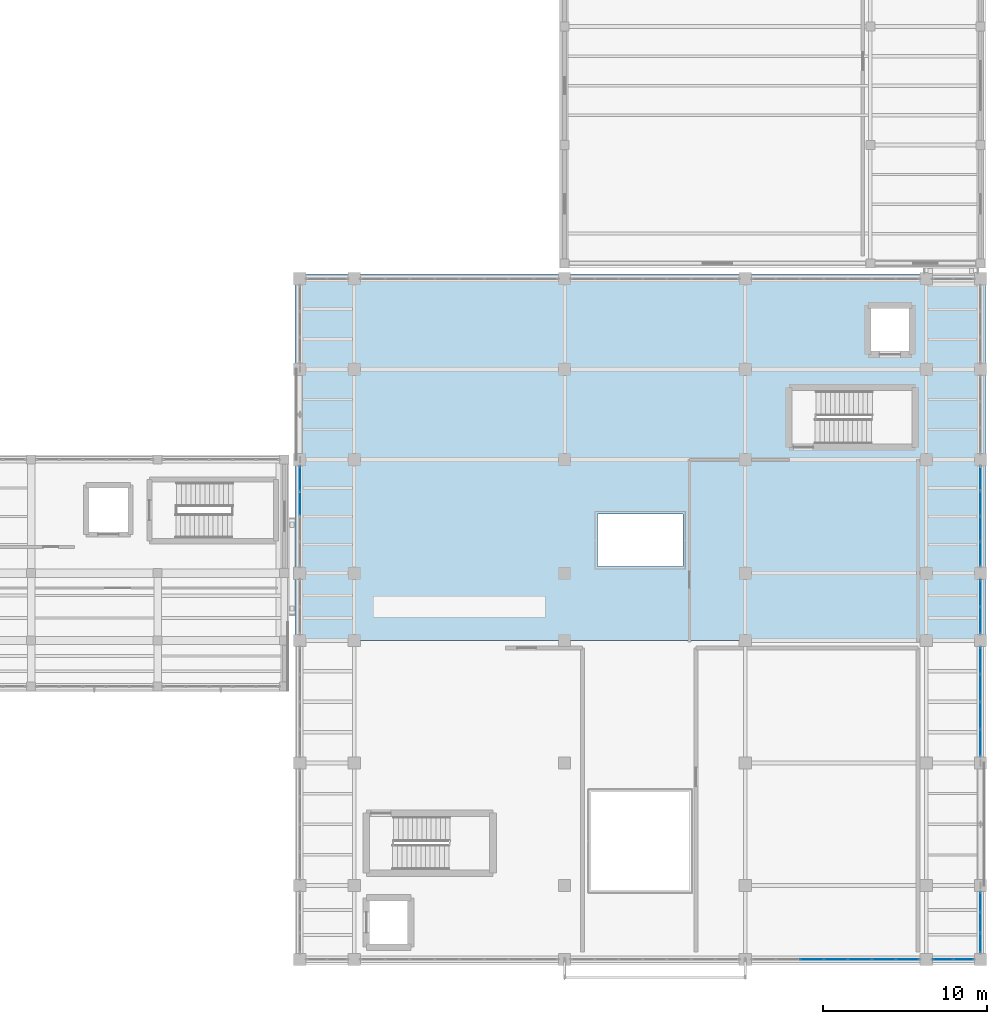
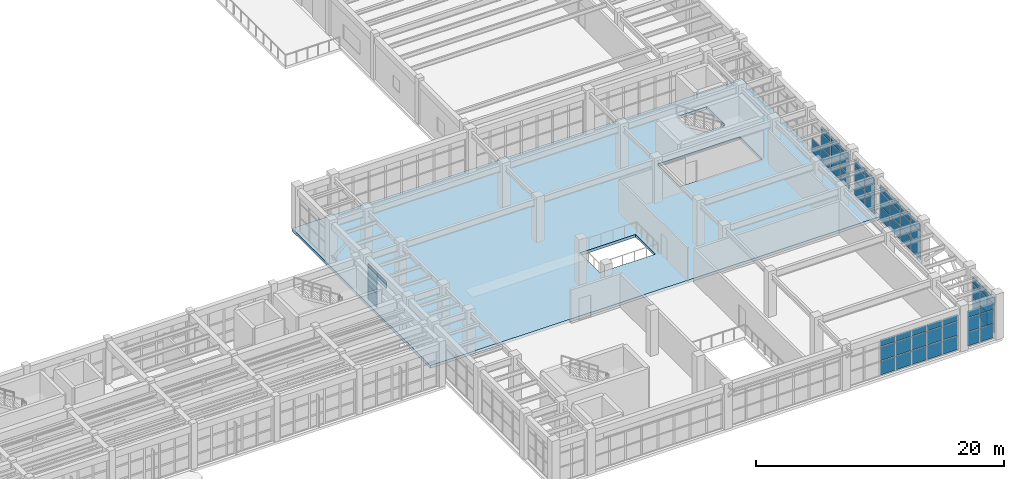
# One storey, part 60 of 85: 62 plates, 1 slab, 7 elements without a shape of their own.
"""IFC4 building model written with IfcOpenShell, lengths in metres."""

from ifc_helpers import new_model, si_unit, direction, frame, origin, origin_2d, place, context, subcontext, project, spatial, polyline, rectangle, outline, extrude, material, layer, layer_set, type_object, element, aggregate, save


model = new_model("IFC4")

# Units and contexts
model_context = context("Model", 3, precision=1e-05, world=origin(), true_north=direction((0.0, 1.0)))
body_context = subcontext(model_context, "Body", "Model", "MODEL_VIEW")
ifc_project = project(units=[si_unit("LENGTHUNIT", "METRE"), si_unit("AREAUNIT", "SQUARE_METRE"), si_unit("VOLUMEUNIT", "CUBIC_METRE"), si_unit("PLANEANGLEUNIT", "RADIAN"), si_unit("MASSUNIT", "GRAM", prefix="KILO")], contexts=[model_context])

# Site, building, storey
site_placement = place(None, origin())
site = spatial("IfcSite", under=ifc_project, at=site_placement, CompositionType="ELEMENT")
building_placement = place(site_placement, origin())
building = spatial("IfcBuilding", under=site, at=building_placement, Name="Candilejo Ridge Gondola Terminal", CompositionType="ELEMENT")
storey_placement = place(building_placement, frame((0.0, 0.0, 4.5)))
storey = spatial("IfcBuildingStorey", under=building, at=storey_placement, Name="L01", CompositionType="ELEMENT", Elevation=4.5)

# Curtain wall, plates
ifc_material_1 = material(Name="Anodised aluminium AA 6063-T6", Category="aluminium")
ifc_layer_1 = layer(ifc_material_1, 0.169921875)
ifc_layer_set_1 = layer_set([ifc_layer_1], Name="ARC-CW-HALL-3800-375X359")
curtain_wall_type_1 = type_object("IfcCurtainWallType", Name="ARC-CW-HALL-3800-375X359", PredefinedType="NOTDEFINED", material=ifc_layer_set_1)
curtain_wall_1_placement = place(storey_placement, origin())
curtain_wall_1 = element("IfcCurtainWall", 1, at=curtain_wall_1_placement, inside=storey, type_object=curtain_wall_type_1, Name="Curtain wall V4 L01-111", PredefinedType="NOTDEFINED")
ifc_material_2 = material(Name="Low-E laminated double glazing 6+12A+6+1.52PVB+6 mm", Category="glass")
ifc_layer_2 = layer(ifc_material_2, 0.028076171875)
ifc_layer_set_2 = layer_set([ifc_layer_2], Name="ARC-CW-GLAZ-PANEL")
plate_type = type_object("IfcPlateType", Name="ARC-CW-GLAZ-PANEL", PredefinedType="CURTAIN_PANEL", material=ifc_layer_set_2)
plate_1_placement = place(storey_placement, frame((175.300048828125, 7.316162109375, 0.06005859375), z_axis=(0.0, 0.0, 1.0), x_axis=(0.0, 1.0, 0.0)))
plate_1 = element("IfcPlate", 2, at=plate_1_placement, type_object=plate_type, Name="CW-37X35 panel 1.1", PredefinedType="CURTAIN_PANEL", context=body_context, shape_type="SweptSolid", body=[
    extrude(rectangle(XDim=1.152587890625, YDim=0.028076171875, at=origin_2d()), origin(), (0.0, 0.0, 1.0), 1.360107421875),
])
plate_2_placement = place(storey_placement, frame((175.300048828125, 7.316162109375, 1.47998046875), z_axis=(0.0, 0.0, 1.0), x_axis=(0.0, 1.0, 0.0)))
plate_2 = element("IfcPlate", 3, at=plate_2_placement, type_object=plate_type, Name="CW-37X35 panel 1.2", PredefinedType="CURTAIN_PANEL", context=body_context, shape_type="SweptSolid", body=[
    extrude(rectangle(XDim=1.152587890625, YDim=0.028076171875, at=origin_2d()), origin(), (0.0, 0.0, 1.0), 1.340087890625),
])
plate_3_placement = place(storey_placement, frame((175.300048828125, 7.316162109375, 2.880126953125), z_axis=(0.0, 0.0, 1.0), x_axis=(0.0, 1.0, 0.0)))
plate_3 = element("IfcPlate", 4, at=plate_3_placement, type_object=plate_type, Name="CW-37X35 panel 1.3", PredefinedType="CURTAIN_PANEL", context=body_context, shape_type="SweptSolid", body=[
    extrude(rectangle(XDim=1.152587890625, YDim=0.028076171875, at=origin_2d()), origin(), (0.0, 0.0, 1.0), 0.64990234375),
])
plate_4_placement = place(storey_placement, frame((175.300048828125, 8.550048828125, 0.06005859375), z_axis=(0.0, 0.0, 1.0), x_axis=(0.0, 1.0, 0.0)))
plate_4 = element("IfcPlate", 5, at=plate_4_placement, type_object=plate_type, Name="CW-37X35 panel 2.1", PredefinedType="CURTAIN_PANEL", context=body_context, shape_type="SweptSolid", body=[
    extrude(rectangle(XDim=1.18505859375, YDim=0.028076171875, at=origin_2d()), origin(), (0.0, 0.0, 1.0), 1.360107421875),
])
plate_5_placement = place(storey_placement, frame((175.300048828125, 8.550048828125, 1.47998046875), z_axis=(0.0, 0.0, 1.0), x_axis=(0.0, 1.0, 0.0)))
plate_5 = element("IfcPlate", 6, at=plate_5_placement, type_object=plate_type, Name="CW-37X35 panel 2.2", PredefinedType="CURTAIN_PANEL", context=body_context, shape_type="SweptSolid", body=[
    extrude(rectangle(XDim=1.18505859375, YDim=0.028076171875, at=origin_2d()), origin(), (0.0, 0.0, 1.0), 1.340087890625),
])
plate_6_placement = place(storey_placement, frame((175.300048828125, 8.550048828125, 2.880126953125), z_axis=(0.0, 0.0, 1.0), x_axis=(0.0, 1.0, 0.0)))
plate_6 = element("IfcPlate", 7, at=plate_6_placement, type_object=plate_type, Name="CW-37X35 panel 2.3", PredefinedType="CURTAIN_PANEL", context=body_context, shape_type="SweptSolid", body=[
    extrude(rectangle(XDim=1.18505859375, YDim=0.028076171875, at=origin_2d()), origin(), (0.0, 0.0, 1.0), 0.64990234375),
])
plate_7_placement = place(storey_placement, frame((175.300048828125, 9.78369140625, 0.06005859375), z_axis=(0.0, 0.0, 1.0), x_axis=(0.0, 1.0, 0.0)))
plate_7 = element("IfcPlate", 8, at=plate_7_placement, type_object=plate_type, Name="CW-37X35 panel 3.1", PredefinedType="CURTAIN_PANEL", context=body_context, shape_type="SweptSolid", body=[
    extrude(rectangle(XDim=1.152587890625, YDim=0.028076171875, at=origin_2d()), origin(), (0.0, 0.0, 1.0), 1.360107421875),
])
plate_8_placement = place(storey_placement, frame((175.300048828125, 9.78369140625, 1.47998046875), z_axis=(0.0, 0.0, 1.0), x_axis=(0.0, 1.0, 0.0)))
plate_8 = element("IfcPlate", 9, at=plate_8_placement, type_object=plate_type, Name="CW-37X35 panel 3.2", PredefinedType="CURTAIN_PANEL", context=body_context, shape_type="SweptSolid", body=[
    extrude(rectangle(XDim=1.152587890625, YDim=0.028076171875, at=origin_2d()), origin(), (0.0, 0.0, 1.0), 1.340087890625),
])
plate_9_placement = place(storey_placement, frame((175.300048828125, 9.78369140625, 2.880126953125), z_axis=(0.0, 0.0, 1.0), x_axis=(0.0, 1.0, 0.0)))
plate_9 = element("IfcPlate", 10, at=plate_9_placement, type_object=plate_type, Name="CW-37X35 panel 3.3", PredefinedType="CURTAIN_PANEL", context=body_context, shape_type="SweptSolid", body=[
    extrude(rectangle(XDim=1.152587890625, YDim=0.028076171875, at=origin_2d()), origin(), (0.0, 0.0, 1.0), 0.64990234375),
])
aggregate(curtain_wall_1, [plate_1, plate_2, plate_3, plate_4, plate_5, plate_6, plate_7, plate_8, plate_9])

ifc_material_3 = material(Name="Anodised aluminium AA 6063-T6", Category="aluminium")
ifc_layer_3 = layer(ifc_material_3, 0.169921875)
ifc_layer_set_3 = layer_set([ifc_layer_3], Name="ARC-CW-HALL-3800-670X359")
curtain_wall_type_2 = type_object("IfcCurtainWallType", Name="ARC-CW-HALL-3800-670X359", PredefinedType="NOTDEFINED", material=ifc_layer_set_3)
curtain_wall_2_placement = place(storey_placement, origin())
curtain_wall_2 = element("IfcCurtainWall", 11, at=curtain_wall_2_placement, inside=storey, type_object=curtain_wall_type_2, Name="Curtain wall V4 L01-114", PredefinedType="NOTDEFINED")
plate_10_placement = place(storey_placement, frame((175.300048828125, 19.478759765625, 0.06005859375), z_axis=(0.0, 0.0, 1.0), x_axis=(0.0, 1.0, 0.0)))
plate_10 = element("IfcPlate", 12, at=plate_10_placement, type_object=plate_type, Name="CW-67X35 panel 1.1", PredefinedType="CURTAIN_PANEL", context=body_context, shape_type="SweptSolid", body=[
    extrude(rectangle(XDim=1.577392578125, YDim=0.028076171875, at=origin_2d()), origin(), (0.0, 0.0, 1.0), 1.360107421875),
])
plate_11_placement = place(storey_placement, frame((175.300048828125, 19.478759765625, 1.47998046875), z_axis=(0.0, 0.0, 1.0), x_axis=(0.0, 1.0, 0.0)))
plate_11 = element("IfcPlate", 13, at=plate_11_placement, type_object=plate_type, Name="CW-67X35 panel 1.2", PredefinedType="CURTAIN_PANEL", context=body_context, shape_type="SweptSolid", body=[
    extrude(rectangle(XDim=1.577392578125, YDim=0.028076171875, at=origin_2d()), origin(), (0.0, 0.0, 1.0), 1.340087890625),
])
plate_12_placement = place(storey_placement, frame((175.300048828125, 19.478759765625, 2.880126953125), z_axis=(0.0, 0.0, 1.0), x_axis=(0.0, 1.0, 0.0)))
plate_12 = element("IfcPlate", 14, at=plate_12_placement, type_object=plate_type, Name="CW-67X35 panel 1.3", PredefinedType="CURTAIN_PANEL", context=body_context, shape_type="SweptSolid", body=[
    extrude(rectangle(XDim=1.577392578125, YDim=0.028076171875, at=origin_2d()), origin(), (0.0, 0.0, 1.0), 0.64990234375),
])
plate_13_placement = place(storey_placement, frame((175.300048828125, 21.137451171875, 0.06005859375), z_axis=(0.0, 0.0, 1.0), x_axis=(0.0, 1.0, 0.0)))
plate_13 = element("IfcPlate", 15, at=plate_13_placement, type_object=plate_type, Name="CW-67X35 panel 2.1", PredefinedType="CURTAIN_PANEL", context=body_context, shape_type="SweptSolid", body=[
    extrude(rectangle(XDim=1.610107421875, YDim=0.028076171875, at=origin_2d()), origin(), (0.0, 0.0, 1.0), 1.360107421875),
])
plate_14_placement = place(storey_placement, frame((175.300048828125, 21.137451171875, 1.47998046875), z_axis=(0.0, 0.0, 1.0), x_axis=(0.0, 1.0, 0.0)))
plate_14 = element("IfcPlate", 16, at=plate_14_placement, type_object=plate_type, Name="CW-67X35 panel 2.2", PredefinedType="CURTAIN_PANEL", context=body_context, shape_type="SweptSolid", body=[
    extrude(rectangle(XDim=1.610107421875, YDim=0.028076171875, at=origin_2d()), origin(), (0.0, 0.0, 1.0), 1.340087890625),
])
plate_15_placement = place(storey_placement, frame((175.300048828125, 21.137451171875, 2.880126953125), z_axis=(0.0, 0.0, 1.0), x_axis=(0.0, 1.0, 0.0)))
plate_15 = element("IfcPlate", 17, at=plate_15_placement, type_object=plate_type, Name="CW-67X35 panel 2.3", PredefinedType="CURTAIN_PANEL", context=body_context, shape_type="SweptSolid", body=[
    extrude(rectangle(XDim=1.610107421875, YDim=0.028076171875, at=origin_2d()), origin(), (0.0, 0.0, 1.0), 0.64990234375),
])
plate_16_placement = place(storey_placement, frame((175.300048828125, 22.8125, 0.06005859375), z_axis=(0.0, 0.0, 1.0), x_axis=(0.0, 1.0, 0.0)))
plate_16 = element("IfcPlate", 18, at=plate_16_placement, type_object=plate_type, Name="CW-67X35 panel 3.1", PredefinedType="CURTAIN_PANEL", context=body_context, shape_type="SweptSolid", body=[
    extrude(rectangle(XDim=1.610107421875, YDim=0.028076171875, at=origin_2d()), origin(), (0.0, 0.0, 1.0), 1.360107421875),
])
plate_17_placement = place(storey_placement, frame((175.300048828125, 22.8125, 1.47998046875), z_axis=(0.0, 0.0, 1.0), x_axis=(0.0, 1.0, 0.0)))
plate_17 = element("IfcPlate", 19, at=plate_17_placement, type_object=plate_type, Name="CW-67X35 panel 3.2", PredefinedType="CURTAIN_PANEL", context=body_context, shape_type="SweptSolid", body=[
    extrude(rectangle(XDim=1.610107421875, YDim=0.028076171875, at=origin_2d()), origin(), (0.0, 0.0, 1.0), 1.340087890625),
])
plate_18_placement = place(storey_placement, frame((175.300048828125, 22.8125, 2.880126953125), z_axis=(0.0, 0.0, 1.0), x_axis=(0.0, 1.0, 0.0)))
plate_18 = element("IfcPlate", 20, at=plate_18_placement, type_object=plate_type, Name="CW-67X35 panel 3.3", PredefinedType="CURTAIN_PANEL", context=body_context, shape_type="SweptSolid", body=[
    extrude(rectangle(XDim=1.610107421875, YDim=0.028076171875, at=origin_2d()), origin(), (0.0, 0.0, 1.0), 0.64990234375),
])
plate_19_placement = place(storey_placement, frame((175.300048828125, 24.47119140625, 0.06005859375), z_axis=(0.0, 0.0, 1.0), x_axis=(0.0, 1.0, 0.0)))
plate_19 = element("IfcPlate", 21, at=plate_19_placement, type_object=plate_type, Name="CW-67X35 panel 4.1", PredefinedType="CURTAIN_PANEL", context=body_context, shape_type="SweptSolid", body=[
    extrude(rectangle(XDim=1.577392578125, YDim=0.028076171875, at=origin_2d()), origin(), (0.0, 0.0, 1.0), 1.360107421875),
])
plate_20_placement = place(storey_placement, frame((175.300048828125, 24.47119140625, 1.47998046875), z_axis=(0.0, 0.0, 1.0), x_axis=(0.0, 1.0, 0.0)))
plate_20 = element("IfcPlate", 22, at=plate_20_placement, type_object=plate_type, Name="CW-67X35 panel 4.2", PredefinedType="CURTAIN_PANEL", context=body_context, shape_type="SweptSolid", body=[
    extrude(rectangle(XDim=1.577392578125, YDim=0.028076171875, at=origin_2d()), origin(), (0.0, 0.0, 1.0), 1.340087890625),
])
plate_21_placement = place(storey_placement, frame((175.300048828125, 24.47119140625, 2.880126953125), z_axis=(0.0, 0.0, 1.0), x_axis=(0.0, 1.0, 0.0)))
plate_21 = element("IfcPlate", 23, at=plate_21_placement, type_object=plate_type, Name="CW-67X35 panel 4.3", PredefinedType="CURTAIN_PANEL", context=body_context, shape_type="SweptSolid", body=[
    extrude(rectangle(XDim=1.577392578125, YDim=0.028076171875, at=origin_2d()), origin(), (0.0, 0.0, 1.0), 0.64990234375),
])
aggregate(curtain_wall_2, [plate_10, plate_11, plate_12, plate_13, plate_14, plate_15, plate_16, plate_17, plate_18, plate_19, plate_20, plate_21])

ifc_material_4 = material(Name="Anodised aluminium AA 6063-T6", Category="aluminium")
ifc_layer_4 = layer(ifc_material_4, 0.169921875)
ifc_layer_set_4 = layer_set([ifc_layer_4], Name="ARC-CW-HALL-3800-335X359")
curtain_wall_type_3 = type_object("IfcCurtainWallType", Name="ARC-CW-HALL-3800-335X359", PredefinedType="NOTDEFINED", material=ifc_layer_set_4)
curtain_wall_3_placement = place(storey_placement, origin())
curtain_wall_3 = element("IfcCurtainWall", 24, at=curtain_wall_3_placement, inside=storey, type_object=curtain_wall_type_3, Name="Curtain wall V4 L01-116", PredefinedType="NOTDEFINED")
plate_22_placement = place(storey_placement, frame((175.300048828125, 26.9287109375, 0.06005859375), z_axis=(0.0, 0.0, 1.0), x_axis=(0.0, 1.0, 0.0)))
plate_22 = element("IfcPlate", 25, at=plate_22_placement, type_object=plate_type, Name="CW-33X35 panel 1.1", PredefinedType="CURTAIN_PANEL", context=body_context, shape_type="SweptSolid", body=[
    extrude(rectangle(XDim=1.577392578125, YDim=0.028076171875, at=origin_2d()), origin(), (0.0, 0.0, 1.0), 1.360107421875),
])
plate_23_placement = place(storey_placement, frame((175.300048828125, 26.9287109375, 1.47998046875), z_axis=(0.0, 0.0, 1.0), x_axis=(0.0, 1.0, 0.0)))
plate_23 = element("IfcPlate", 26, at=plate_23_placement, type_object=plate_type, Name="CW-33X35 panel 1.2", PredefinedType="CURTAIN_PANEL", context=body_context, shape_type="SweptSolid", body=[
    extrude(rectangle(XDim=1.577392578125, YDim=0.028076171875, at=origin_2d()), origin(), (0.0, 0.0, 1.0), 1.340087890625),
])
plate_24_placement = place(storey_placement, frame((175.300048828125, 26.9287109375, 2.880126953125), z_axis=(0.0, 0.0, 1.0), x_axis=(0.0, 1.0, 0.0)))
plate_24 = element("IfcPlate", 27, at=plate_24_placement, type_object=plate_type, Name="CW-33X35 panel 1.3", PredefinedType="CURTAIN_PANEL", context=body_context, shape_type="SweptSolid", body=[
    extrude(rectangle(XDim=1.577392578125, YDim=0.028076171875, at=origin_2d()), origin(), (0.0, 0.0, 1.0), 0.64990234375),
])
plate_25_placement = place(storey_placement, frame((175.300048828125, 28.5712890625, 0.06005859375), z_axis=(0.0, 0.0, 1.0), x_axis=(0.0, 1.0, 0.0)))
plate_25 = element("IfcPlate", 28, at=plate_25_placement, type_object=plate_type, Name="CW-33X35 panel 2.1", PredefinedType="CURTAIN_PANEL", context=body_context, shape_type="SweptSolid", body=[
    extrude(rectangle(XDim=1.577392578125, YDim=0.028076171875, at=origin_2d()), origin(), (0.0, 0.0, 1.0), 1.360107421875),
])
plate_26_placement = place(storey_placement, frame((175.300048828125, 28.5712890625, 1.47998046875), z_axis=(0.0, 0.0, 1.0), x_axis=(0.0, 1.0, 0.0)))
plate_26 = element("IfcPlate", 29, at=plate_26_placement, type_object=plate_type, Name="CW-33X35 panel 2.2", PredefinedType="CURTAIN_PANEL", context=body_context, shape_type="SweptSolid", body=[
    extrude(rectangle(XDim=1.577392578125, YDim=0.028076171875, at=origin_2d()), origin(), (0.0, 0.0, 1.0), 1.340087890625),
])
plate_27_placement = place(storey_placement, frame((175.300048828125, 28.5712890625, 2.880126953125), z_axis=(0.0, 0.0, 1.0), x_axis=(0.0, 1.0, 0.0)))
plate_27 = element("IfcPlate", 30, at=plate_27_placement, type_object=plate_type, Name="CW-33X35 panel 2.3", PredefinedType="CURTAIN_PANEL", context=body_context, shape_type="SweptSolid", body=[
    extrude(rectangle(XDim=1.577392578125, YDim=0.028076171875, at=origin_2d()), origin(), (0.0, 0.0, 1.0), 0.64990234375),
])
aggregate(curtain_wall_3, [plate_22, plate_23, plate_24, plate_25, plate_26, plate_27])

ifc_material_5 = material(Name="Anodised aluminium AA 6063-T6", Category="aluminium")
ifc_layer_5 = layer(ifc_material_5, 0.169921875)
ifc_layer_set_5 = layer_set([ifc_layer_5], Name="ARC-CW-HALL-3800-615X359")
curtain_wall_type_4 = type_object("IfcCurtainWallType", Name="ARC-CW-HALL-3800-615X359", PredefinedType="NOTDEFINED", material=ifc_layer_set_5)
curtain_wall_4_placement = place(storey_placement, origin())
curtain_wall_4 = element("IfcCurtainWall", 31, at=curtain_wall_4_placement, inside=storey, type_object=curtain_wall_type_4, Name="Curtain wall V4 L01-117", PredefinedType="NOTDEFINED")
plate_28_placement = place(storey_placement, frame((133.89990234375, 34.018798828125, 2.880126953125), z_axis=(0.0, 0.0, 1.0), x_axis=(0.0, 1.0, 0.0)))
plate_28 = element("IfcPlate", 32, at=plate_28_placement, type_object=plate_type, Name="CW-61X35 panel 3.3", PredefinedType="CURTAIN_PANEL", context=body_context, shape_type="SweptSolid", body=[
    extrude(rectangle(XDim=1.472412109375, YDim=0.028076171875, at=origin_2d()), origin(), (0.0, 0.0, 1.0), 0.64990234375),
])
plate_29_placement = place(storey_placement, frame((133.89990234375, 35.5400390625, 0.06005859375), z_axis=(0.0, 0.0, 1.0), x_axis=(0.0, 1.0, 0.0)))
plate_29 = element("IfcPlate", 33, at=plate_29_placement, type_object=plate_type, Name="CW-61X35 panel 4.1", PredefinedType="CURTAIN_PANEL", context=body_context, shape_type="SweptSolid", body=[
    extrude(rectangle(XDim=1.43994140625, YDim=0.028076171875, at=origin_2d()), origin(), (0.0, 0.0, 1.0), 1.360107421875),
])
plate_30_placement = place(storey_placement, frame((133.89990234375, 35.5400390625, 1.47998046875), z_axis=(0.0, 0.0, 1.0), x_axis=(0.0, 1.0, 0.0)))
plate_30 = element("IfcPlate", 34, at=plate_30_placement, type_object=plate_type, Name="CW-61X35 panel 4.2", PredefinedType="CURTAIN_PANEL", context=body_context, shape_type="SweptSolid", body=[
    extrude(rectangle(XDim=1.43994140625, YDim=0.028076171875, at=origin_2d()), origin(), (0.0, 0.0, 1.0), 1.340087890625),
])
plate_31_placement = place(storey_placement, frame((133.89990234375, 35.5400390625, 2.880126953125), z_axis=(0.0, 0.0, 1.0), x_axis=(0.0, 1.0, 0.0)))
plate_31 = element("IfcPlate", 35, at=plate_31_placement, type_object=plate_type, Name="CW-61X35 panel 4.3", PredefinedType="CURTAIN_PANEL", context=body_context, shape_type="SweptSolid", body=[
    extrude(rectangle(XDim=1.43994140625, YDim=0.028076171875, at=origin_2d()), origin(), (0.0, 0.0, 1.0), 0.64990234375),
])
aggregate(curtain_wall_4, [plate_28, plate_29, plate_30, plate_31])

curtain_wall_5_placement = place(storey_placement, origin())
curtain_wall_5 = element("IfcCurtainWall", 36, at=curtain_wall_5_placement, inside=storey, type_object=curtain_wall_type_4, Name="Curtain wall V4 L01-118", PredefinedType="NOTDEFINED")
plate_32_placement = place(storey_placement, frame((175.300048828125, 30.9599609375, 0.06005859375), z_axis=(0.0, 0.0, 1.0), x_axis=(0.0, 1.0, 0.0)))
plate_32 = element("IfcPlate", 37, at=plate_32_placement, type_object=plate_type, Name="CW-61X35 panel 1.1", PredefinedType="CURTAIN_PANEL", context=body_context, shape_type="SweptSolid", body=[
    extrude(rectangle(XDim=1.43994140625, YDim=0.028076171875, at=origin_2d()), origin(), (0.0, 0.0, 1.0), 1.360107421875),
])
plate_33_placement = place(storey_placement, frame((175.300048828125, 30.9599609375, 1.47998046875), z_axis=(0.0, 0.0, 1.0), x_axis=(0.0, 1.0, 0.0)))
plate_33 = element("IfcPlate", 38, at=plate_33_placement, type_object=plate_type, Name="CW-61X35 panel 1.2", PredefinedType="CURTAIN_PANEL", context=body_context, shape_type="SweptSolid", body=[
    extrude(rectangle(XDim=1.43994140625, YDim=0.028076171875, at=origin_2d()), origin(), (0.0, 0.0, 1.0), 1.340087890625),
])
plate_34_placement = place(storey_placement, frame((175.300048828125, 30.9599609375, 2.880126953125), z_axis=(0.0, 0.0, 1.0), x_axis=(0.0, 1.0, 0.0)))
plate_34 = element("IfcPlate", 39, at=plate_34_placement, type_object=plate_type, Name="CW-61X35 panel 1.3", PredefinedType="CURTAIN_PANEL", context=body_context, shape_type="SweptSolid", body=[
    extrude(rectangle(XDim=1.43994140625, YDim=0.028076171875, at=origin_2d()), origin(), (0.0, 0.0, 1.0), 0.64990234375),
])
plate_35_placement = place(storey_placement, frame((175.300048828125, 32.481201171875, 0.06005859375), z_axis=(0.0, 0.0, 1.0), x_axis=(0.0, 1.0, 0.0)))
plate_35 = element("IfcPlate", 40, at=plate_35_placement, type_object=plate_type, Name="CW-61X35 panel 2.1", PredefinedType="CURTAIN_PANEL", context=body_context, shape_type="SweptSolid", body=[
    extrude(rectangle(XDim=1.472412109375, YDim=0.028076171875, at=origin_2d()), origin(), (0.0, 0.0, 1.0), 1.360107421875),
])
plate_36_placement = place(storey_placement, frame((175.300048828125, 32.481201171875, 1.47998046875), z_axis=(0.0, 0.0, 1.0), x_axis=(0.0, 1.0, 0.0)))
plate_36 = element("IfcPlate", 41, at=plate_36_placement, type_object=plate_type, Name="CW-61X35 panel 2.2", PredefinedType="CURTAIN_PANEL", context=body_context, shape_type="SweptSolid", body=[
    extrude(rectangle(XDim=1.472412109375, YDim=0.028076171875, at=origin_2d()), origin(), (0.0, 0.0, 1.0), 1.340087890625),
])
plate_37_placement = place(storey_placement, frame((175.300048828125, 32.481201171875, 2.880126953125), z_axis=(0.0, 0.0, 1.0), x_axis=(0.0, 1.0, 0.0)))
plate_37 = element("IfcPlate", 42, at=plate_37_placement, type_object=plate_type, Name="CW-61X35 panel 2.3", PredefinedType="CURTAIN_PANEL", context=body_context, shape_type="SweptSolid", body=[
    extrude(rectangle(XDim=1.472412109375, YDim=0.028076171875, at=origin_2d()), origin(), (0.0, 0.0, 1.0), 0.64990234375),
])
plate_38_placement = place(storey_placement, frame((175.300048828125, 34.018798828125, 0.06005859375), z_axis=(0.0, 0.0, 1.0), x_axis=(0.0, 1.0, 0.0)))
plate_38 = element("IfcPlate", 43, at=plate_38_placement, type_object=plate_type, Name="CW-61X35 panel 3.1", PredefinedType="CURTAIN_PANEL", context=body_context, shape_type="SweptSolid", body=[
    extrude(rectangle(XDim=1.472412109375, YDim=0.028076171875, at=origin_2d()), origin(), (0.0, 0.0, 1.0), 1.360107421875),
])
plate_39_placement = place(storey_placement, frame((175.300048828125, 34.018798828125, 1.47998046875), z_axis=(0.0, 0.0, 1.0), x_axis=(0.0, 1.0, 0.0)))
plate_39 = element("IfcPlate", 44, at=plate_39_placement, type_object=plate_type, Name="CW-61X35 panel 3.2", PredefinedType="CURTAIN_PANEL", context=body_context, shape_type="SweptSolid", body=[
    extrude(rectangle(XDim=1.472412109375, YDim=0.028076171875, at=origin_2d()), origin(), (0.0, 0.0, 1.0), 1.340087890625),
])
plate_40_placement = place(storey_placement, frame((175.300048828125, 34.018798828125, 2.880126953125), z_axis=(0.0, 0.0, 1.0), x_axis=(0.0, 1.0, 0.0)))
plate_40 = element("IfcPlate", 45, at=plate_40_placement, type_object=plate_type, Name="CW-61X35 panel 3.3", PredefinedType="CURTAIN_PANEL", context=body_context, shape_type="SweptSolid", body=[
    extrude(rectangle(XDim=1.472412109375, YDim=0.028076171875, at=origin_2d()), origin(), (0.0, 0.0, 1.0), 0.64990234375),
])
plate_41_placement = place(storey_placement, frame((175.300048828125, 35.5400390625, 0.06005859375), z_axis=(0.0, 0.0, 1.0), x_axis=(0.0, 1.0, 0.0)))
plate_41 = element("IfcPlate", 46, at=plate_41_placement, type_object=plate_type, Name="CW-61X35 panel 4.1", PredefinedType="CURTAIN_PANEL", context=body_context, shape_type="SweptSolid", body=[
    extrude(rectangle(XDim=1.43994140625, YDim=0.028076171875, at=origin_2d()), origin(), (0.0, 0.0, 1.0), 1.360107421875),
])
aggregate(curtain_wall_5, [plate_32, plate_33, plate_34, plate_35, plate_36, plate_37, plate_38, plate_39, plate_40, plate_41])

ifc_material_6 = material(Name="Anodised aluminium AA 6063-T6", Category="aluminium")
ifc_layer_6 = layer(ifc_material_6, 0.169921875)
ifc_layer_set_6 = layer_set([ifc_layer_6], Name="ARC-CW-HALL-3800-1025X359")
curtain_wall_type_5 = type_object("IfcCurtainWallType", Name="ARC-CW-HALL-3800-1025X359", PredefinedType="NOTDEFINED", material=ifc_layer_set_6)
curtain_wall_6_placement = place(storey_placement, origin())
curtain_wall_6 = element("IfcCurtainWall", 47, at=curtain_wall_6_placement, inside=storey, type_object=curtain_wall_type_5, Name="Curtain wall V4 L01-128", PredefinedType="NOTDEFINED")
plate_42_placement = place(storey_placement, frame((165.03564453125, 6.300048828125, 0.06005859375), z_axis=(0.0, 0.0, 1.0), x_axis=(1.0, 0.0, 0.0)))
plate_42 = element("IfcPlate", 48, at=plate_42_placement, type_object=plate_type, Name="CW-102X35 panel 3.1", PredefinedType="CURTAIN_PANEL", context=body_context, shape_type="SweptSolid", body=[
    extrude(rectangle(XDim=1.399169921875, YDim=0.028076171875, at=origin_2d()), origin(), (0.0, 0.0, 1.0), 1.360107421875),
])
plate_43_placement = place(storey_placement, frame((165.03564453125, 6.300048828125, 1.47998046875), z_axis=(0.0, 0.0, 1.0), x_axis=(1.0, 0.0, 0.0)))
plate_43 = element("IfcPlate", 49, at=plate_43_placement, type_object=plate_type, Name="CW-102X35 panel 3.2", PredefinedType="CURTAIN_PANEL", context=body_context, shape_type="SweptSolid", body=[
    extrude(rectangle(XDim=1.399169921875, YDim=0.028076171875, at=origin_2d()), origin(), (0.0, 0.0, 1.0), 1.340087890625),
])
plate_44_placement = place(storey_placement, frame((165.03564453125, 6.300048828125, 2.880126953125), z_axis=(0.0, 0.0, 1.0), x_axis=(1.0, 0.0, 0.0)))
plate_44 = element("IfcPlate", 50, at=plate_44_placement, type_object=plate_type, Name="CW-102X35 panel 3.3", PredefinedType="CURTAIN_PANEL", context=body_context, shape_type="SweptSolid", body=[
    extrude(rectangle(XDim=1.399169921875, YDim=0.028076171875, at=origin_2d()), origin(), (0.0, 0.0, 1.0), 0.64990234375),
])
plate_45_placement = place(storey_placement, frame((166.5, 6.300048828125, 0.06005859375), z_axis=(0.0, 0.0, 1.0), x_axis=(1.0, 0.0, 0.0)))
plate_45 = element("IfcPlate", 51, at=plate_45_placement, type_object=plate_type, Name="CW-102X35 panel 4.1", PredefinedType="CURTAIN_PANEL", context=body_context, shape_type="SweptSolid", body=[
    extrude(rectangle(XDim=1.399169921875, YDim=0.028076171875, at=origin_2d()), origin(), (0.0, 0.0, 1.0), 1.360107421875),
])
plate_46_placement = place(storey_placement, frame((166.5, 6.300048828125, 1.47998046875), z_axis=(0.0, 0.0, 1.0), x_axis=(1.0, 0.0, 0.0)))
plate_46 = element("IfcPlate", 52, at=plate_46_placement, type_object=plate_type, Name="CW-102X35 panel 4.2", PredefinedType="CURTAIN_PANEL", context=body_context, shape_type="SweptSolid", body=[
    extrude(rectangle(XDim=1.399169921875, YDim=0.028076171875, at=origin_2d()), origin(), (0.0, 0.0, 1.0), 1.340087890625),
])
plate_47_placement = place(storey_placement, frame((166.5, 6.300048828125, 2.880126953125), z_axis=(0.0, 0.0, 1.0), x_axis=(1.0, 0.0, 0.0)))
plate_47 = element("IfcPlate", 53, at=plate_47_placement, type_object=plate_type, Name="CW-102X35 panel 4.3", PredefinedType="CURTAIN_PANEL", context=body_context, shape_type="SweptSolid", body=[
    extrude(rectangle(XDim=1.399169921875, YDim=0.028076171875, at=origin_2d()), origin(), (0.0, 0.0, 1.0), 0.64990234375),
])
plate_48_placement = place(storey_placement, frame((167.96435546875, 6.300048828125, 0.06005859375), z_axis=(0.0, 0.0, 1.0), x_axis=(1.0, 0.0, 0.0)))
plate_48 = element("IfcPlate", 54, at=plate_48_placement, type_object=plate_type, Name="CW-102X35 panel 5.1", PredefinedType="CURTAIN_PANEL", context=body_context, shape_type="SweptSolid", body=[
    extrude(rectangle(XDim=1.399169921875, YDim=0.028076171875, at=origin_2d()), origin(), (0.0, 0.0, 1.0), 1.360107421875),
])
plate_49_placement = place(storey_placement, frame((167.96435546875, 6.300048828125, 1.47998046875), z_axis=(0.0, 0.0, 1.0), x_axis=(1.0, 0.0, 0.0)))
plate_49 = element("IfcPlate", 55, at=plate_49_placement, type_object=plate_type, Name="CW-102X35 panel 5.2", PredefinedType="CURTAIN_PANEL", context=body_context, shape_type="SweptSolid", body=[
    extrude(rectangle(XDim=1.399169921875, YDim=0.028076171875, at=origin_2d()), origin(), (0.0, 0.0, 1.0), 1.340087890625),
])
plate_50_placement = place(storey_placement, frame((167.96435546875, 6.300048828125, 2.880126953125), z_axis=(0.0, 0.0, 1.0), x_axis=(1.0, 0.0, 0.0)))
plate_50 = element("IfcPlate", 56, at=plate_50_placement, type_object=plate_type, Name="CW-102X35 panel 5.3", PredefinedType="CURTAIN_PANEL", context=body_context, shape_type="SweptSolid", body=[
    extrude(rectangle(XDim=1.399169921875, YDim=0.028076171875, at=origin_2d()), origin(), (0.0, 0.0, 1.0), 0.64990234375),
])
plate_51_placement = place(storey_placement, frame((169.428466796875, 6.300048828125, 0.06005859375), z_axis=(0.0, 0.0, 1.0), x_axis=(1.0, 0.0, 0.0)))
plate_51 = element("IfcPlate", 57, at=plate_51_placement, type_object=plate_type, Name="CW-102X35 panel 6.1", PredefinedType="CURTAIN_PANEL", context=body_context, shape_type="SweptSolid", body=[
    extrude(rectangle(XDim=1.399169921875, YDim=0.028076171875, at=origin_2d()), origin(), (0.0, 0.0, 1.0), 1.360107421875),
])
plate_52_placement = place(storey_placement, frame((169.428466796875, 6.300048828125, 1.47998046875), z_axis=(0.0, 0.0, 1.0), x_axis=(1.0, 0.0, 0.0)))
plate_52 = element("IfcPlate", 58, at=plate_52_placement, type_object=plate_type, Name="CW-102X35 panel 6.2", PredefinedType="CURTAIN_PANEL", context=body_context, shape_type="SweptSolid", body=[
    extrude(rectangle(XDim=1.399169921875, YDim=0.028076171875, at=origin_2d()), origin(), (0.0, 0.0, 1.0), 1.340087890625),
])
plate_53_placement = place(storey_placement, frame((169.428466796875, 6.300048828125, 2.880126953125), z_axis=(0.0, 0.0, 1.0), x_axis=(1.0, 0.0, 0.0)))
plate_53 = element("IfcPlate", 59, at=plate_53_placement, type_object=plate_type, Name="CW-102X35 panel 6.3", PredefinedType="CURTAIN_PANEL", context=body_context, shape_type="SweptSolid", body=[
    extrude(rectangle(XDim=1.399169921875, YDim=0.028076171875, at=origin_2d()), origin(), (0.0, 0.0, 1.0), 0.64990234375),
])
plate_54_placement = place(storey_placement, frame((170.876708984375, 6.300048828125, 0.06005859375), z_axis=(0.0, 0.0, 1.0), x_axis=(1.0, 0.0, 0.0)))
plate_54 = element("IfcPlate", 60, at=plate_54_placement, type_object=plate_type, Name="CW-102X35 panel 7.1", PredefinedType="CURTAIN_PANEL", context=body_context, shape_type="SweptSolid", body=[
    extrude(rectangle(XDim=1.36669921875, YDim=0.028076171875, at=origin_2d()), origin(), (0.0, 0.0, 1.0), 1.360107421875),
])
plate_55_placement = place(storey_placement, frame((170.876708984375, 6.300048828125, 1.47998046875), z_axis=(0.0, 0.0, 1.0), x_axis=(1.0, 0.0, 0.0)))
plate_55 = element("IfcPlate", 61, at=plate_55_placement, type_object=plate_type, Name="CW-102X35 panel 7.2", PredefinedType="CURTAIN_PANEL", context=body_context, shape_type="SweptSolid", body=[
    extrude(rectangle(XDim=1.36669921875, YDim=0.028076171875, at=origin_2d()), origin(), (0.0, 0.0, 1.0), 1.340087890625),
])
plate_56_placement = place(storey_placement, frame((170.876708984375, 6.300048828125, 2.880126953125), z_axis=(0.0, 0.0, 1.0), x_axis=(1.0, 0.0, 0.0)))
plate_56 = element("IfcPlate", 62, at=plate_56_placement, type_object=plate_type, Name="CW-102X35 panel 7.3", PredefinedType="CURTAIN_PANEL", context=body_context, shape_type="SweptSolid", body=[
    extrude(rectangle(XDim=1.36669921875, YDim=0.028076171875, at=origin_2d()), origin(), (0.0, 0.0, 1.0), 0.64990234375),
])
aggregate(curtain_wall_6, [plate_42, plate_43, plate_44, plate_45, plate_46, plate_47, plate_48, plate_49, plate_50, plate_51, plate_52, plate_53, plate_54, plate_55, plate_56])

ifc_material_7 = material(Name="Anodised aluminium AA 6063-T6", Category="aluminium")
ifc_layer_7 = layer(ifc_material_7, 0.169921875)
ifc_layer_set_7 = layer_set([ifc_layer_7], Name="ARC-CW-HALL-3800-255X359")
curtain_wall_type_6 = type_object("IfcCurtainWallType", Name="ARC-CW-HALL-3800-255X359", PredefinedType="NOTDEFINED", material=ifc_layer_set_7)
curtain_wall_7_placement = place(storey_placement, origin())
curtain_wall_7 = element("IfcCurtainWall", 63, at=curtain_wall_7_placement, inside=storey, type_object=curtain_wall_type_6, Name="Curtain wall V4 L01-130", PredefinedType="NOTDEFINED")
plate_57_placement = place(storey_placement, frame((173.02880859375, 6.300048828125, 0.06005859375), z_axis=(0.0, 0.0, 1.0), x_axis=(1.0, 0.0, 0.0)))
plate_57 = element("IfcPlate", 64, at=plate_57_placement, type_object=plate_type, Name="CW-25X35 panel 1.1", PredefinedType="CURTAIN_PANEL", context=body_context, shape_type="SweptSolid", body=[
    extrude(rectangle(XDim=1.177490234375, YDim=0.028076171875, at=origin_2d()), origin(), (0.0, 0.0, 1.0), 1.360107421875),
])
plate_58_placement = place(storey_placement, frame((173.02880859375, 6.300048828125, 1.47998046875), z_axis=(0.0, 0.0, 1.0), x_axis=(1.0, 0.0, 0.0)))
plate_58 = element("IfcPlate", 65, at=plate_58_placement, type_object=plate_type, Name="CW-25X35 panel 1.2", PredefinedType="CURTAIN_PANEL", context=body_context, shape_type="SweptSolid", body=[
    extrude(rectangle(XDim=1.177490234375, YDim=0.028076171875, at=origin_2d()), origin(), (0.0, 0.0, 1.0), 1.340087890625),
])
plate_59_placement = place(storey_placement, frame((173.02880859375, 6.300048828125, 2.880126953125), z_axis=(0.0, 0.0, 1.0), x_axis=(1.0, 0.0, 0.0)))
plate_59 = element("IfcPlate", 66, at=plate_59_placement, type_object=plate_type, Name="CW-25X35 panel 1.3", PredefinedType="CURTAIN_PANEL", context=body_context, shape_type="SweptSolid", body=[
    extrude(rectangle(XDim=1.177490234375, YDim=0.028076171875, at=origin_2d()), origin(), (0.0, 0.0, 1.0), 0.64990234375),
])
plate_60_placement = place(storey_placement, frame((174.271240234375, 6.300048828125, 0.06005859375), z_axis=(0.0, 0.0, 1.0), x_axis=(1.0, 0.0, 0.0)))
plate_60 = element("IfcPlate", 67, at=plate_60_placement, type_object=plate_type, Name="CW-25X35 panel 2.1", PredefinedType="CURTAIN_PANEL", context=body_context, shape_type="SweptSolid", body=[
    extrude(rectangle(XDim=1.177490234375, YDim=0.028076171875, at=origin_2d()), origin(), (0.0, 0.0, 1.0), 1.360107421875),
])
plate_61_placement = place(storey_placement, frame((174.271240234375, 6.300048828125, 1.47998046875), z_axis=(0.0, 0.0, 1.0), x_axis=(1.0, 0.0, 0.0)))
plate_61 = element("IfcPlate", 68, at=plate_61_placement, type_object=plate_type, Name="CW-25X35 panel 2.2", PredefinedType="CURTAIN_PANEL", context=body_context, shape_type="SweptSolid", body=[
    extrude(rectangle(XDim=1.177490234375, YDim=0.028076171875, at=origin_2d()), origin(), (0.0, 0.0, 1.0), 1.340087890625),
])
plate_62_placement = place(storey_placement, frame((174.271240234375, 6.300048828125, 2.880126953125), z_axis=(0.0, 0.0, 1.0), x_axis=(1.0, 0.0, 0.0)))
plate_62 = element("IfcPlate", 69, at=plate_62_placement, type_object=plate_type, Name="CW-25X35 panel 2.3", PredefinedType="CURTAIN_PANEL", context=body_context, shape_type="SweptSolid", body=[
    extrude(rectangle(XDim=1.177490234375, YDim=0.028076171875, at=origin_2d()), origin(), (0.0, 0.0, 1.0), 0.64990234375),
])
aggregate(curtain_wall_7, [plate_57, plate_58, plate_59, plate_60, plate_61, plate_62])

# Slab
ifc_material_8 = material(Name="Concrete f'c 35 MPa (C35/45)", Category="concrete")
ifc_layer_8 = layer(ifc_material_8, 0.284912109375)
ifc_layer_set_8 = layer_set([ifc_layer_8], Name="STR-FLOOR-SLAB-285")
slab_type = type_object("IfcSlabType", Name="STR-FLOOR-SLAB-285", PredefinedType="FLOOR", material=ifc_layer_set_8)
slab_placement = place(storey_placement, frame((0.0, 0.0, -0.284912109375)))
element("IfcSlab", 70, at=slab_placement, inside=storey, type_object=slab_type, Name="Slab SLB-V4-L01-N", PredefinedType="FLOOR", context=body_context, shape_type="SweptSolid", body=[
    extrude(outline(polyline([(133.60009765625, 25.699951171875), (175.60009765625, 25.699951171875), (175.60009765625, 48.0), (133.60009765625, 48.0), (133.60009765625, 25.699951171875)]), holes=[polyline([(163.64990234375, 37.449951171875), (171.35009765625, 37.449951171875), (171.35009765625, 41.10009765625), (163.64990234375, 41.10009765625), (163.64990234375, 37.449951171875)]), polyline([(168.449951171875, 43.10009765625), (171.14990234375, 43.10009765625), (171.14990234375, 46.10009765625), (168.449951171875, 46.10009765625), (168.449951171875, 43.10009765625)]), polyline([(152.0, 30.199951171875), (157.199951171875, 30.199951171875), (157.199951171875, 33.39990234375), (152.0, 33.39990234375), (152.0, 30.199951171875)])]), origin(), (0.0, 0.0, 1.0), 0.284912109375),
])

save(model, "model.ifc")
